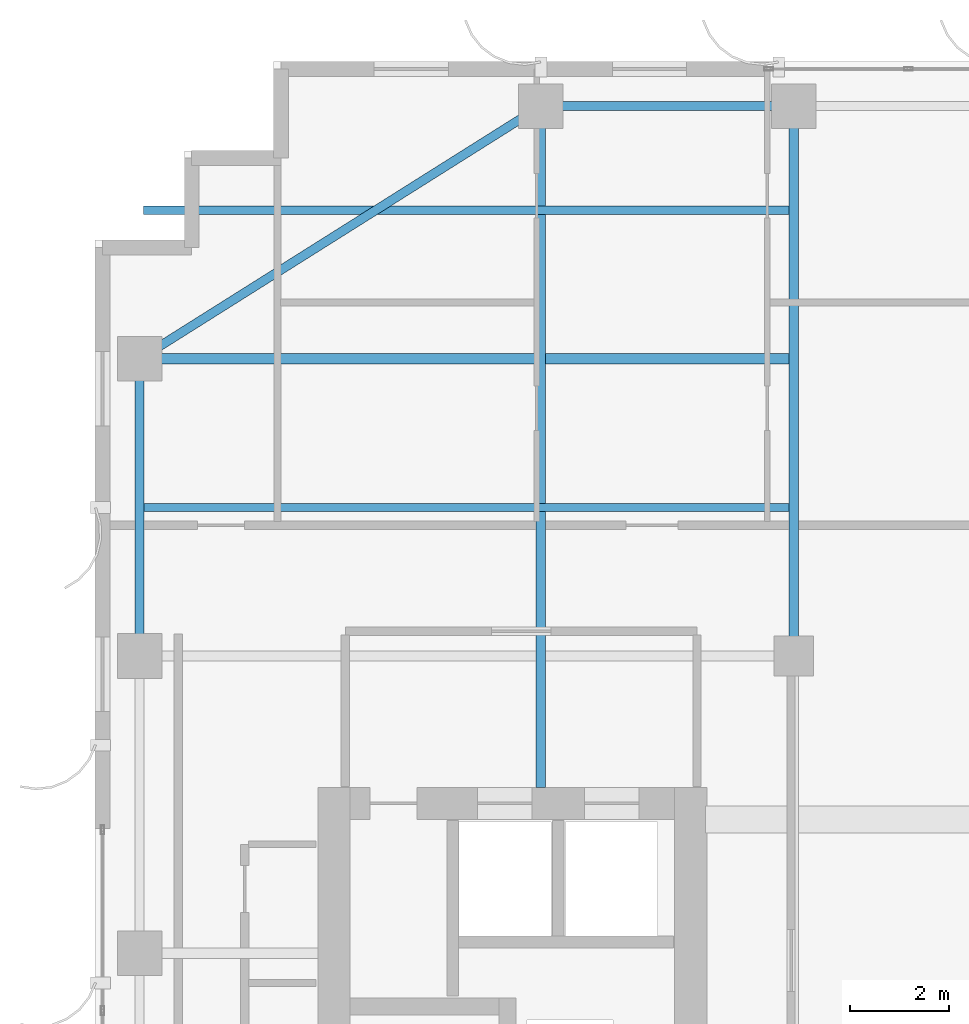
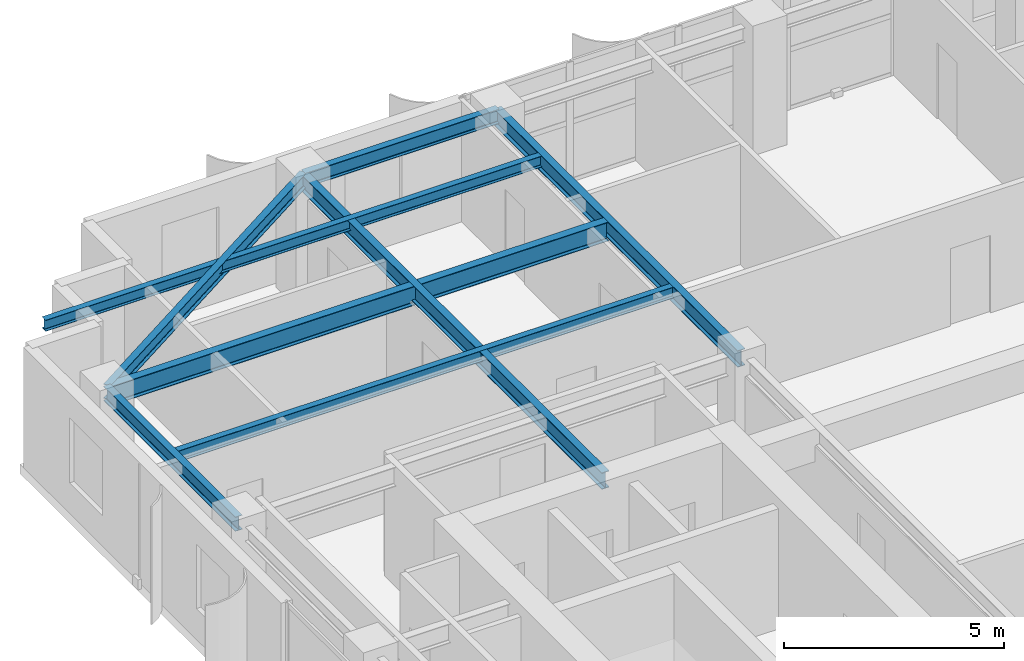
# One storey, part 10 of 22: 8 beams.
"""IFC4 building model written with IfcOpenShell, lengths in metres."""

import ifcopenshell
import ifcopenshell.guid

model = None  # the IFC model being written
_history = None  # IfcOwnerHistory: only IFC2X3 demands one
_inside = {}  # id of a spatial element -> (the spatial element, [elements in it])
_under = {}  # id of a project, library or spatial element -> (it, [spatial elements below it])
_declared = {}  # id of a project -> (the project, [libraries it declares])
_typed = {}  # id of a type object -> (the type object, [elements of that type])
_made_of = {}  # id of a material, layer set ... -> (it, [elements and type objects made of it])


def new_model(schema):
    """Start an empty IFC model of exactly this schema.

    Asked for "IFC4X3", IfcOpenShell would pick the latest addendum, in which some entities
    have other attributes; the version numbers below select the first issue.
    IFC2X3 requires an IfcOwnerHistory on every rooted entity: one is made here for all.
    """
    global model, _history
    if schema == "IFC4X3":
        model = ifcopenshell.file(schema_version=(4, 3, 0, 0))
    else:
        model = ifcopenshell.file(schema=schema)
    _inside.clear()
    _under.clear()
    _declared.clear()
    _typed.clear()
    _made_of.clear()
    _history = None
    if model.schema == "IFC2X3":
        org = make("IfcOrganization", Name="unknown")
        user = make(
            "IfcPersonAndOrganization",
            ThePerson=make("IfcPerson", FamilyName="unknown"),
            TheOrganization=org,
        )
        app = make(
            "IfcApplication",
            ApplicationDeveloper=org,
            Version="unknown",
            ApplicationFullName="unknown",
            ApplicationIdentifier="unknown",
        )
        _history = make(
            "IfcOwnerHistory",
            OwningUser=user,
            OwningApplication=app,
            ChangeAction="ADDED",
            CreationDate=0,
        )
    return model


def make(cls, **values):
    """One entity of the class cls with the attributes given. An attribute that is None is left unset."""
    return model.create_entity(
        cls, **{name: value for name, value in values.items() if value is not None}
    )


def rooted(cls, **values):
    """An entity with a GlobalId (a new one), such as an element, a storey or a relation."""
    return make(cls, GlobalId=ifcopenshell.guid.new(), OwnerHistory=_history, **values)


def si_unit(unit_type, name, prefix=None):
    """IfcSIUnit, for example si_unit("LENGTHUNIT", "METRE", prefix="MILLI")."""
    return make("IfcSIUnit", UnitType=unit_type, Prefix=prefix, Name=name)


def assignment(units):
    """IfcUnitAssignment: the units of a project."""
    return None if units is None else make("IfcUnitAssignment", Units=units)


def point(xyz):
    """IfcCartesianPoint."""
    return None if xyz is None else make("IfcCartesianPoint", Coordinates=xyz)


def direction(xyz):
    """IfcDirection."""
    return None if xyz is None else make("IfcDirection", DirectionRatios=xyz)


def frame(location, z_axis=None, x_axis=None):
    """IfcAxis2Placement3D, a coordinate frame: its origin and axes. An axis left out is left unset."""
    return make(
        "IfcAxis2Placement3D",
        Location=point(location),
        Axis=direction(z_axis),
        RefDirection=direction(x_axis),
    )


def frame_2d(location, x_axis=None):
    """IfcAxis2Placement2D, a coordinate frame in the plane: its origin and x axis."""
    return make(
        "IfcAxis2Placement2D", Location=point(location), RefDirection=direction(x_axis)
    )


def origin():
    """The frame at (0, 0, 0) with its axes left unset."""
    return frame((0.0, 0.0, 0.0))


def origin_2d():
    """The frame at (0, 0) in the plane with its x axis left unset."""
    return frame_2d((0.0, 0.0))


def place(relative_to, where):
    """IfcLocalPlacement: puts the frame where relative to a parent placement (None: the world)."""
    return make(
        "IfcLocalPlacement", PlacementRelTo=relative_to, RelativePlacement=where
    )


def context(
    kind, dimensions, precision=None, world=None, true_north=None, identifier=None
):
    """IfcGeometricRepresentationContext, for example the 3D "Model" context."""
    return make(
        "IfcGeometricRepresentationContext",
        ContextIdentifier=identifier,
        ContextType=kind,
        CoordinateSpaceDimension=dimensions,
        Precision=precision,
        WorldCoordinateSystem=world,
        TrueNorth=true_north,
    )


def subcontext(parent, identifier, kind, view, scale=None):
    """IfcGeometricRepresentationSubContext, for example "Body" below "Model"."""
    return make(
        "IfcGeometricRepresentationSubContext",
        ContextIdentifier=identifier,
        ContextType=kind,
        ParentContext=parent,
        TargetScale=scale,
        TargetView=view,
    )


def project(units=None, contexts=None):
    """IfcProject with its units and contexts."""
    return rooted(
        "IfcProject",
        Name="project",
        RepresentationContexts=contexts,
        UnitsInContext=assignment(units),
    )


def spatial(cls, under=None, at=None, **own):
    """A site, building, storey or space (cls), placed at a placement, below another one or the project."""
    s = rooted(cls, ObjectPlacement=at, **own)
    if under is not None:
        _under.setdefault(under.id(), (under, []))[1].append(s)
    return s


def profile(cls, at=None, kind="AREA", **sizes):
    """A parametric profile (cls). Its sizes go by their IFC names, for example OverallWidth=200.0."""
    return make(cls, ProfileType=kind, Position=at, **sizes)


def i_section(**sizes):
    """IfcIShapeProfileDef."""
    return profile("IfcIShapeProfileDef", **sizes)


def extrude(swept, where, along, depth):
    """IfcExtrudedAreaSolid: the profile swept, set in the frame where, extruded along a direction by depth."""
    return make(
        "IfcExtrudedAreaSolid",
        SweptArea=swept,
        Position=where,
        ExtrudedDirection=direction(along),
        Depth=depth,
    )


def shape(context_of_items, identifier, shape_type, items):
    """IfcShapeRepresentation: the items that make up one representation, for example the "Body"."""
    return make(
        "IfcShapeRepresentation",
        ContextOfItems=context_of_items,
        RepresentationIdentifier=identifier,
        RepresentationType=shape_type,
        Items=items,
    )


def source(mapping_origin, context_of_items, identifier, shape_type, items):
    """IfcRepresentationMap: a shape defined once, which mapped items show again and again."""
    return make(
        "IfcRepresentationMap",
        MappingOrigin=mapping_origin,
        MappedRepresentation=shape(context_of_items, identifier, shape_type, items),
    )


def transform(
    local_origin,
    x_axis=None,
    y_axis=None,
    z_axis=None,
    scale=None,
    scale2=None,
    scale3=None,
    uniform=True,
):
    """IfcCartesianTransformationOperator3D, or its non-uniform kind. x_axis, y_axis, z_axis: its Axis1, 2, 3."""
    if uniform:
        return make(
            "IfcCartesianTransformationOperator3D",
            Axis1=direction(x_axis),
            Axis2=direction(y_axis),
            LocalOrigin=point(local_origin),
            Scale=scale,
            Axis3=direction(z_axis),
        )
    return make(
        "IfcCartesianTransformationOperator3DnonUniform",
        Axis1=direction(x_axis),
        Axis2=direction(y_axis),
        LocalOrigin=point(local_origin),
        Scale=scale,
        Axis3=direction(z_axis),
        Scale2=scale2,
        Scale3=scale3,
    )


def mapped(mapping_source, mapping_target):
    """IfcMappedItem: shows the shape of a source again, moved by a transform."""
    return make(
        "IfcMappedItem", MappingSource=mapping_source, MappingTarget=mapping_target
    )


def material(Name=None, Category=None):
    """IfcMaterial."""
    return make("IfcMaterial", Name=Name, Category=Category)


def material_profile(
    of_material, cross_section, Name=None, Category=None, Priority=None
):
    """IfcMaterialProfile: a cross section and its material."""
    return make(
        "IfcMaterialProfile",
        Name=Name,
        Material=of_material,
        Profile=cross_section,
        Priority=Priority,
        Category=Category,
    )


def profile_set(profiles, Name=None, composite=None):
    """IfcMaterialProfileSet."""
    return make(
        "IfcMaterialProfileSet",
        Name=Name,
        MaterialProfiles=profiles,
        CompositeProfile=composite,
    )


def made_of(thing, what):
    """Note that an element or type object is made of a material, layer set ...; save() writes the relation."""
    if what is not None:
        _made_of.setdefault(what.id(), (what, []))[1].append(thing)
    return thing


def type_object(cls, material=None, **own):
    """A type object (cls), such as IfcWallType, which elements share."""
    return made_of(rooted(cls, **own), material)


def element(
    cls,
    number,
    at=None,
    inside=None,
    cuts=None,
    type_object=None,
    material=None,
    context=None,
    identifier="Body",
    shape_type=None,
    held_by="IfcProductDefinitionShape",
    body=None,
    shapes=None,
    **own,
):
    """One element of the class cls, such as IfcWall. Its Tag is "e" and its number.

    at: its placement. inside: the storey or other place that contains it. cuts: it is an
    opening in that element (IfcRelVoidsElement). A single representation is given by context,
    identifier, shape_type and body (its items); several are given by shapes. held_by: the class
    of the entity that holds the representations. save() writes the other relations.
    """
    e = rooted(cls, Tag="e%d" % number, ObjectPlacement=at, **own)
    if body is not None:
        shapes = [shape(context, identifier, shape_type, body)]
    if shapes is not None:
        e.Representation = make(held_by, Representations=shapes)
    if inside is not None:
        _inside.setdefault(inside.id(), (inside, []))[1].append(e)
    if cuts is not None:
        rooted(
            "IfcRelVoidsElement", RelatingBuildingElement=cuts, RelatedOpeningElement=e
        )
    if type_object is not None:
        _typed.setdefault(type_object.id(), (type_object, []))[1].append(e)
    return made_of(e, material)


def aggregate(whole, parts):
    """IfcRelAggregates: a whole, such as a stair, and the parts it consists of."""
    return rooted("IfcRelAggregates", RelatingObject=whole, RelatedObjects=parts)


def save(model, path):
    """Write the relations noted so far, then the file.

    IfcRelAggregates (storeys below a building ...), IfcRelContainedInSpatialStructure (elements
    in a storey), IfcRelDefinesByType, IfcRelAssociatesMaterial and IfcRelDeclares: one each for
    every whole, place, type object, material and project.
    """
    for whole, parts in _under.values():
        aggregate(whole, parts)
    for where, things in _inside.values():
        rooted(
            "IfcRelContainedInSpatialStructure",
            RelatedElements=things,
            RelatingStructure=where,
        )
    for kind, things in _typed.values():
        rooted("IfcRelDefinesByType", RelatedObjects=things, RelatingType=kind)
    for what, things in _made_of.values():
        rooted("IfcRelAssociatesMaterial", RelatedObjects=things, RelatingMaterial=what)
    for by, libraries in _declared.values():
        rooted("IfcRelDeclares", RelatingContext=by, RelatedDefinitions=libraries)
    model.write(path)


model = new_model("IFC4")

# Units and contexts
model_context = context("Model", 3, precision=1e-05, world=origin(), true_north=direction((0.0, 1.0)))
body_context = subcontext(model_context, "Body", "Model", "MODEL_VIEW")
ifc_project = project(units=[si_unit("LENGTHUNIT", "METRE"), si_unit("AREAUNIT", "SQUARE_METRE"), si_unit("VOLUMEUNIT", "CUBIC_METRE"), si_unit("PLANEANGLEUNIT", "RADIAN"), si_unit("MASSUNIT", "GRAM", prefix="KILO")], contexts=[model_context])

# Site, building, storey
site_placement = place(None, origin())
site = spatial("IfcSite", under=ifc_project, at=site_placement, CompositionType="ELEMENT")
building_placement = place(site_placement, origin())
building = spatial("IfcBuilding", under=site, at=building_placement, Name="Khoralis Quay Care Tower", CompositionType="ELEMENT")
storey_placement = place(building_placement, frame((0.0, 0.0, 180.89990234375)))
storey = spatial("IfcBuildingStorey", under=building, at=storey_placement, Name="L47", CompositionType="ELEMENT", Elevation=180.89990234375)

# Beams
ifc_material = material(Name="Steel S355", Category="steel")
ifc_material_profile_1 = material_profile(ifc_material, i_section(OverallWidth=0.179931640625, OverallDepth=0.39990234375, WebThickness=0.008544921875, FlangeThickness=0.013427734375, FilletRadius=0.02099609375, at=origin_2d()), Name="Steel S355")
ifc_profile_set_1 = profile_set([ifc_material_profile_1], Name="Steel S355")
beam_type_1 = type_object("IfcBeamType", Name="BM-IPE400", PredefinedType="SPANDREL", material=ifc_profile_set_1)
shared_shape_1 = source(origin(), body_context, "Body", "SweptSolid", [
    extrude(i_section(OverallWidth=0.179931640625, OverallDepth=0.39990234375, WebThickness=0.008544921875, FlangeThickness=0.013427734375, FilletRadius=0.02099609375, at=origin_2d()), origin(), (0.0, 0.0, 1.0), 6.0),
])
beam_1_placement = place(storey_placement, frame((3.89990234375, 30.0, 3.14013671875), z_axis=(0.0, 1.0, 0.0), x_axis=(-1.0, 0.0, 0.0)))
element("IfcBeam", 1, at=beam_1_placement, inside=storey, type_object=beam_type_1, Name="BM-TSP-L47-13", PredefinedType="SPANDREL", context=body_context, shape_type="MappedRepresentation", body=[
    mapped(shared_shape_1, transform((0.0, 0.0, 0.0), scale=1.0)),
])
shared_shape_2 = source(origin(), body_context, "Body", "SweptSolid", [
    extrude(i_section(OverallWidth=0.179931640625, OverallDepth=0.39990234375, WebThickness=0.008544921875, FlangeThickness=0.013427734375, FilletRadius=0.02099609375, at=origin_2d()), origin(), (0.0, 0.0, 1.0), 5.10009765625),
])
beam_2_placement = place(storey_placement, frame((12.0, 41.10009765625, 3.14013671875), z_axis=(1.0, 0.0, 0.0), x_axis=(0.0, 1.0, 0.0)))
element("IfcBeam", 2, at=beam_2_placement, inside=storey, type_object=beam_type_1, Name="BM-TSP-L47-05", PredefinedType="SPANDREL", context=body_context, shape_type="MappedRepresentation", body=[
    mapped(shared_shape_2, transform((0.0, 0.0, 0.0), scale=1.0)),
])
shared_shape_3 = source(origin(), body_context, "Body", "SweptSolid", [
    extrude(i_section(OverallWidth=0.179931640625, OverallDepth=0.39990234375, WebThickness=0.008544921875, FlangeThickness=0.013427734375, FilletRadius=0.02099609375, at=origin_2d()), origin(), (0.0, 0.0, 1.0), 9.572021484375),
])
beam_3_placement = place(storey_placement, frame((12.0, 41.10009765625, 3.14013671875), z_axis=(-0.846231136359, -0.532815975602, 0.0), x_axis=(0.532815975602, -0.846231136359, 0.0)))
element("IfcBeam", 3, at=beam_3_placement, inside=storey, type_object=beam_type_1, Name="BM-TCR-L47-21", PredefinedType="SPANDREL", context=body_context, shape_type="MappedRepresentation", body=[
    mapped(shared_shape_3, transform((0.0, 0.0, 0.0), scale=1.0)),
])
ifc_material_profile_2 = material_profile(ifc_material, i_section(OverallWidth=0.208984375, OverallDepth=0.532958984375, WebThickness=0.01025390625, FlangeThickness=0.015625, FilletRadius=0.01611328125, at=origin_2d()), Name="Steel S355")
ifc_profile_set_2 = profile_set([ifc_material_profile_2], Name="Steel S355")
beam_type_2 = type_object("IfcBeamType", Name="BM-W530X92", PredefinedType="BEAM", material=ifc_profile_set_2)
shared_shape_4 = source(origin(), body_context, "Body", "SweptSolid", [
    extrude(i_section(OverallWidth=0.208984375, OverallDepth=0.532958984375, WebThickness=0.01025390625, FlangeThickness=0.015625, FilletRadius=0.01611328125, at=origin_2d()), origin(), (0.0, 0.0, 1.0), 13.1162109375),
])
beam_4_placement = place(storey_placement, frame((3.89990234375, 36.0, 3.073486328125), z_axis=(1.0, 0.0, 0.0), x_axis=(0.0, 1.0, 0.0)))
element("IfcBeam", 4, at=beam_4_placement, inside=storey, type_object=beam_type_2, Name="BM-TGXW-L47-360", PredefinedType="BEAM", context=body_context, shape_type="MappedRepresentation", body=[
    mapped(shared_shape_4, transform((0.0, 0.0, 0.0), scale=1.0)),
])
ifc_material_profile_3 = material_profile(ifc_material, i_section(OverallWidth=0.19189453125, OverallDepth=0.462890625, WebThickness=0.010498046875, FlangeThickness=0.017578125, FilletRadius=0.014892578125, at=origin_2d()), Name="Steel S355")
ifc_profile_set_3 = profile_set([ifc_material_profile_3], Name="Steel S355")
beam_type_3 = type_object("IfcBeamType", Name="BM-W460X89", PredefinedType="BEAM", material=ifc_profile_set_3)
shared_shape_5 = source(origin(), body_context, "Body", "SweptSolid", [
    extrude(i_section(OverallWidth=0.19189453125, OverallDepth=0.462890625, WebThickness=0.010498046875, FlangeThickness=0.017578125, FilletRadius=0.014892578125, at=origin_2d()), origin(), (0.0, 0.0, 1.0), 11.10009765625),
])
beam_5_placement = place(storey_placement, frame((17.10009765625, 30.0, 3.108642578125), z_axis=(0.0, 1.0, 0.0), x_axis=(-1.0, 0.0, 0.0)))
element("IfcBeam", 5, at=beam_5_placement, inside=storey, type_object=beam_type_3, Name="BM-TGYN-L47-171", PredefinedType="BEAM", context=body_context, shape_type="MappedRepresentation", body=[
    mapped(shared_shape_5, transform((0.0, 0.0, 0.0), scale=1.0)),
])
shared_shape_6 = source(origin(), body_context, "Body", "SweptSolid", [
    extrude(i_section(OverallWidth=0.19189453125, OverallDepth=0.462890625, WebThickness=0.010498046875, FlangeThickness=0.017578125, FilletRadius=0.014892578125, at=origin_2d()), origin(), (0.0, 0.0, 1.0), 13.752197265625),
])
beam_6_placement = place(storey_placement, frame((12.0, 27.347900390625, 3.108642578125), z_axis=(0.0, 1.0, 0.0), x_axis=(-1.0, 0.0, 0.0)))
element("IfcBeam", 6, at=beam_6_placement, inside=storey, type_object=beam_type_3, Name="BM-TGYN-L47-120", PredefinedType="BEAM", context=body_context, shape_type="MappedRepresentation", body=[
    mapped(shared_shape_6, transform((0.0, 0.0, 0.0), scale=1.0)),
])
ifc_material_profile_4 = material_profile(ifc_material, i_section(OverallWidth=0.1650390625, OverallDepth=0.31005859375, WebThickness=0.005859375, FlangeThickness=0.009765625, FilletRadius=0.011962890625, at=origin_2d()), Name="Steel S355")
ifc_profile_set_4 = profile_set([ifc_material_profile_4], Name="Steel S355")
beam_type_4 = type_object("IfcBeamType", Name="BM-W310X39", PredefinedType="JOIST", material=ifc_profile_set_4)
shared_shape_7 = source(origin(), body_context, "Body", "SweptSolid", [
    extrude(i_section(OverallWidth=0.1650390625, OverallDepth=0.31005859375, WebThickness=0.005859375, FlangeThickness=0.009765625, FilletRadius=0.011962890625, at=origin_2d()), origin(), (0.0, 0.0, 1.0), 13.0400390625),
])
for number, where, z_axis, x_axis, name in (
    (7, (3.97607421875, 33.0, 3.18505859375), (1.0, 0.0, 0.0), (0.0, 1.0, 0.0), "BM-TJS-L47-25"),
    (8, (3.97607421875, 39.0, 3.18505859375), (1.0, 0.0, 0.0), (0.0, 1.0, 0.0), "BM-TJS-L47-27"),
):
    element("IfcBeam", number, at=place(storey_placement, frame(where, z_axis=z_axis, x_axis=x_axis)), inside=storey, type_object=beam_type_4, Name=name, PredefinedType="JOIST", context=body_context, shape_type="MappedRepresentation", body=[
        mapped(shared_shape_7, transform((0.0, 0.0, 0.0), scale=1.0)),
    ])

save(model, "model.ifc")
